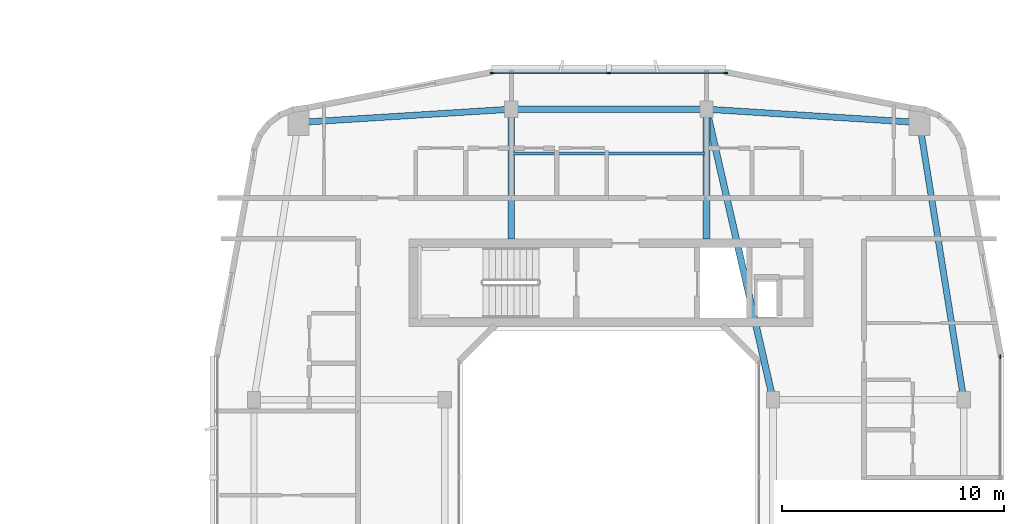
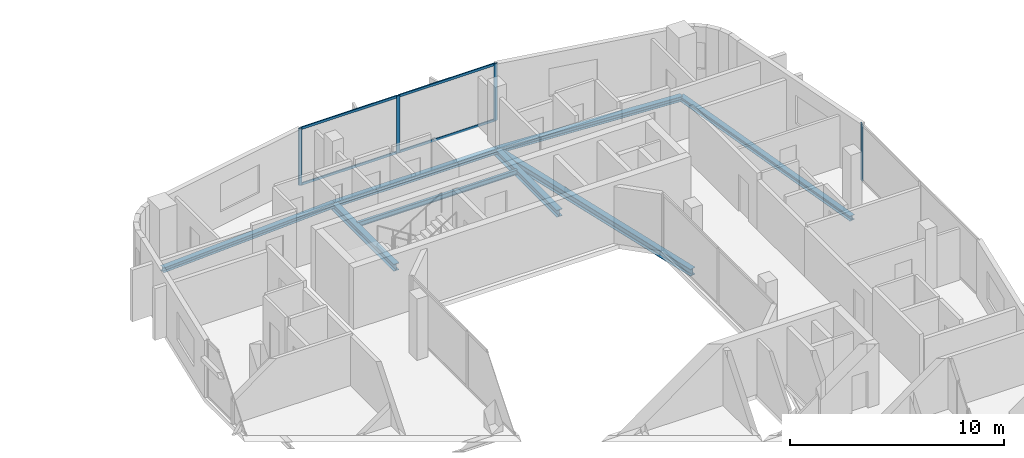
# One storey, part 10 of 26: 8 beams, 8 members, 2 elements without a shape of their own.
"""IFC4 building model written with IfcOpenShell, lengths in metres."""

from ifc_helpers import new_model, si_unit, derived_unit, direction, frame, origin, origin_2d, place, context, subcontext, project, spatial, rectangle, i_section, extrude, material, layer, layer_set, material_profile, profile_set, type_object, element, aggregate, save


model = new_model("IFC4")

# Units and contexts
model_context = context("Model", 3, precision=1e-05, world=origin(), true_north=direction((0.0, 1.0)))
body_context = subcontext(model_context, "Body", "Model", "MODEL_VIEW")
ifc_project = project(units=[si_unit("LENGTHUNIT", "METRE"), si_unit("AREAUNIT", "SQUARE_METRE"), si_unit("VOLUMEUNIT", "CUBIC_METRE"), si_unit("PLANEANGLEUNIT", "RADIAN"), si_unit("MASSUNIT", "GRAM", prefix="KILO"), derived_unit("THERMALTRANSMITTANCEUNIT", [(si_unit("POWERUNIT", "WATT"), 1), (si_unit("LENGTHUNIT", "METRE"), -2), (si_unit("THERMODYNAMICTEMPERATUREUNIT", "KELVIN"), -1)])], contexts=[model_context])

# Site, building, storey
site_placement = place(None, origin())
site = spatial("IfcSite", under=ifc_project, at=site_placement, CompositionType="ELEMENT")
building_placement = place(site_placement, origin())
building = spatial("IfcBuilding", under=site, at=building_placement, Name="Kivonza Crest Hotel", CompositionType="ELEMENT")
storey_placement = place(building_placement, frame((0.0, 0.0, 98.5)))
storey = spatial("IfcBuildingStorey", under=building, at=storey_placement, Name="L26", CompositionType="ELEMENT", Elevation=98.5)

# Beams
ifc_material_1 = material(Name="Steel S355", Category="steel")
ifc_material_profile_1 = material_profile(ifc_material_1, i_section(OverallWidth=0.280029296875, OverallDepth=0.280029296875, WebThickness=0.010498046875, FlangeThickness=0.01806640625, FilletRadius=0.02392578125, at=origin_2d()), Name="HEB 280")
ifc_profile_set_1 = profile_set([ifc_material_profile_1], Name="Steel S355")
beam_type_1 = type_object("IfcBeamType", Name="BM-HEB280", PredefinedType="SPANDREL", material=ifc_profile_set_1)
beam_1_placement = place(storey_placement, frame((93.0, 28.5, -0.389892578125), z_axis=(-0.157990501107, 0.987440631917, 0.0), x_axis=(-0.987440631917, -0.157990501107, 0.0)))
element("IfcBeam", 1, at=beam_1_placement, inside=storey, type_object=beam_type_1, Name="Companion Tower T2 L26 perimeter spandrel E2-NE", PredefinedType="SPANDREL", context=body_context, shape_type="SweptSolid", body=[
    extrude(i_section(OverallWidth=0.280029296875, OverallDepth=0.280029296875, WebThickness=0.010498046875, FlangeThickness=0.01806640625, FilletRadius=0.02392578125, at=origin_2d()), origin(), (0.0, 0.0, 1.0), 12.658935546875),
])
beam_2_placement = place(storey_placement, frame((91.0, 41.0, -0.389892578125), z_axis=(-0.998051985873, 0.062387767186, 0.0), x_axis=(-0.062387767186, -0.998051985873, 0.0)))
element("IfcBeam", 2, at=beam_2_placement, inside=storey, type_object=beam_type_1, Name="Companion Tower T2 L26 perimeter spandrel NE-N2", PredefinedType="SPANDREL", context=body_context, shape_type="SweptSolid", body=[
    extrude(i_section(OverallWidth=0.280029296875, OverallDepth=0.280029296875, WebThickness=0.010498046875, FlangeThickness=0.01806640625, FilletRadius=0.02392578125, at=origin_2d()), origin(), (0.0, 0.0, 1.0), 9.618896484375),
])
beam_3_placement = place(storey_placement, frame((81.39990234375, 41.60009765625, -0.389892578125), z_axis=(-1.0, 0.0, 0.0), x_axis=(0.0, -1.0, 0.0)))
element("IfcBeam", 3, at=beam_3_placement, inside=storey, type_object=beam_type_1, Name="Companion Tower T2 L26 perimeter spandrel N2-N1", PredefinedType="SPANDREL", context=body_context, shape_type="SweptSolid", body=[
    extrude(i_section(OverallWidth=0.280029296875, OverallDepth=0.280029296875, WebThickness=0.010498046875, FlangeThickness=0.01806640625, FilletRadius=0.02392578125, at=origin_2d()), origin(), (0.0, 0.0, 1.0), 8.7998046875),
])
beam_4_placement = place(storey_placement, frame((72.60009765625, 41.60009765625, -0.389892578125), z_axis=(-0.998051985873, -0.062387767186, 0.0), x_axis=(0.062387767186, -0.998051985873, 0.0)))
element("IfcBeam", 4, at=beam_4_placement, inside=storey, type_object=beam_type_1, Name="Companion Tower T2 L26 perimeter spandrel N1-NW", PredefinedType="SPANDREL", context=body_context, shape_type="SweptSolid", body=[
    extrude(i_section(OverallWidth=0.280029296875, OverallDepth=0.280029296875, WebThickness=0.010498046875, FlangeThickness=0.01806640625, FilletRadius=0.02392578125, at=origin_2d()), origin(), (0.0, 0.0, 1.0), 9.618896484375),
])
ifc_material_profile_2 = material_profile(ifc_material_1, i_section(OverallWidth=0.300048828125, OverallDepth=0.39990234375, WebThickness=0.013427734375, FlangeThickness=0.02392578125, FilletRadius=0.027099609375, at=origin_2d()), Name="HEB 400")
ifc_profile_set_2 = profile_set([ifc_material_profile_2], Name="Steel S355")
beam_type_2 = type_object("IfcBeamType", Name="BM-HEB400", PredefinedType="BEAM", material=ifc_profile_set_2)
beam_5_placement = place(storey_placement, frame((84.39990234375, 28.5, -0.449951171875), z_axis=(-0.223227287589, 0.974766422317, 0.0), x_axis=(-0.974766422317, -0.223227287589, 0.0)))
element("IfcBeam", 5, at=beam_5_placement, inside=storey, type_object=beam_type_2, Name="Companion Tower T2 L26 girder WR2-N2", PredefinedType="BEAM", context=body_context, shape_type="SweptSolid", body=[
    extrude(i_section(OverallWidth=0.300048828125, OverallDepth=0.39990234375, WebThickness=0.013427734375, FlangeThickness=0.02392578125, FilletRadius=0.027099609375, at=origin_2d()), origin(), (0.0, 0.0, 1.0), 13.439208984375),
])
for number, where, z_axis, x_axis, name in (
    (6, (72.60009765625, 41.60009765625, -0.449951171875), (0.0, -1.0, 0.0), (1.0, 0.0, 0.0), "Companion T2 L26 radial core girder RN1"),
    (7, (81.39990234375, 41.60009765625, -0.449951171875), (0.0, -1.0, 0.0), (1.0, 0.0, 0.0), "Companion T2 L26 radial core girder RN2"),
):
    element("IfcBeam", number, at=place(storey_placement, frame(where, z_axis=z_axis, x_axis=x_axis)), inside=storey, type_object=beam_type_2, Name=name, PredefinedType="BEAM", context=body_context, shape_type="SweptSolid", body=[
        extrude(i_section(OverallWidth=0.300048828125, OverallDepth=0.39990234375, WebThickness=0.013427734375, FlangeThickness=0.02392578125, FilletRadius=0.027099609375, at=origin_2d()), origin(), (0.0, 0.0, 1.0), 5.85009765625),
    ])
ifc_material_profile_3 = material_profile(ifc_material_1, i_section(OverallWidth=0.135009765625, OverallDepth=0.27001953125, WebThickness=0.006591796875, FlangeThickness=0.01025390625, FilletRadius=0.014892578125, at=origin_2d()), Name="IPE 270")
ifc_profile_set_3 = profile_set([ifc_material_profile_3], Name="Steel S355")
beam_type_3 = type_object("IfcBeamType", Name="BM-IPE270", PredefinedType="JOIST", material=ifc_profile_set_3)
beam_6_placement = place(storey_placement, frame((72.679931640625, 39.60009765625, -0.385009765625), z_axis=(1.0, 0.0, 0.0), x_axis=(0.0, 1.0, 0.0)))
element("IfcBeam", 8, at=beam_6_placement, inside=storey, type_object=beam_type_3, Name="Companion Tower T2 L26 North floor joist", PredefinedType="JOIST", context=body_context, shape_type="SweptSolid", body=[
    extrude(i_section(OverallWidth=0.135009765625, OverallDepth=0.27001953125, WebThickness=0.006591796875, FlangeThickness=0.01025390625, FilletRadius=0.014892578125, at=origin_2d()), origin(), (0.0, 0.0, 1.0), 8.64013671875),
])

# Curtain wall, member
ifc_material_2 = material(Name="Anodised bronze aluminium and low-E double glazing", Category="aluminium")
ifc_layer = layer(ifc_material_2, 0.179931640625)
ifc_layer_set = layer_set([ifc_layer], Name="Anodised bronze aluminium and low-E double glazing")
curtain_wall_type = type_object("IfcCurtainWallType", Name="CW-SYS-4", PredefinedType="NOTDEFINED", material=ifc_layer_set)
curtain_wall_1_placement = place(storey_placement, origin())
curtain_wall_1 = element("IfcCurtainWall", 9, at=curtain_wall_1_placement, inside=storey, type_object=curtain_wall_type, Name="L26 unitised curtain wall CW-T2-L26-17", PredefinedType="NOTDEFINED")
ifc_material_3 = material(Name="Anodised bronze aluminium", Category="aluminium")
ifc_material_profile_4 = material_profile(ifc_material_3, rectangle(XDim=0.06494140625, YDim=0.179931640625, at=origin_2d()), Name="CW-M 65x180")
ifc_profile_set_4 = profile_set([ifc_material_profile_4], Name="Anodised bronze aluminium")
member_type_1 = type_object("IfcMemberType", Name="CW-MUL-65x180", PredefinedType="MULLION", material=ifc_profile_set_4)
member_1_placement = place(storey_placement, frame((94.639892578125, 30.447509765625, 0.0), z_axis=(0.0, 0.0, 1.0), x_axis=(-1.0, 0.0, 0.0)))
member_1 = element("IfcMember", 10, at=member_1_placement, type_object=member_type_1, Name="CW-4 mullion 3", PredefinedType="MULLION", context=body_context, shape_type="SweptSolid", body=[
    extrude(rectangle(XDim=0.06494140625, YDim=0.179931640625, at=origin_2d()), origin(), (0.0, 0.0, 1.0), 3.25),
])
aggregate(curtain_wall_1, [member_1])

# Curtain wall, members
curtain_wall_2_placement = place(storey_placement, origin())
curtain_wall_2 = element("IfcCurtainWall", 11, at=curtain_wall_2_placement, inside=storey, type_object=curtain_wall_type, Name="L26 unitised curtain wall CW-T2-L26-26", PredefinedType="NOTDEFINED")
member_2_placement = place(storey_placement, frame((82.267578125, 43.239990234375, 0.0), z_axis=(0.0, 0.0, 1.0), x_axis=(0.0, -1.0, 0.0)))
member_2 = element("IfcMember", 12, at=member_2_placement, type_object=member_type_1, Name="CW-4 mullion 1", PredefinedType="MULLION", context=body_context, shape_type="SweptSolid", body=[
    extrude(rectangle(XDim=0.06494140625, YDim=0.179931640625, at=origin_2d()), origin(), (0.0, 0.0, 1.0), 3.25),
])
member_3_placement = place(storey_placement, frame((77.0, 43.239990234375, 0.0), z_axis=(0.0, 0.0, 1.0), x_axis=(0.0, -1.0, 0.0)))
member_3 = element("IfcMember", 13, at=member_3_placement, type_object=member_type_1, Name="CW-4 mullion 2", PredefinedType="MULLION", context=body_context, shape_type="SweptSolid", body=[
    extrude(rectangle(XDim=0.06494140625, YDim=0.179931640625, at=origin_2d()), origin(), (0.0, 0.0, 1.0), 3.25),
])
member_4_placement = place(storey_placement, frame((71.732421875, 43.239990234375, 0.0), z_axis=(0.0, 0.0, 1.0), x_axis=(0.0, -1.0, 0.0)))
member_4 = element("IfcMember", 14, at=member_4_placement, type_object=member_type_1, Name="CW-4 mullion 3", PredefinedType="MULLION", context=body_context, shape_type="SweptSolid", body=[
    extrude(rectangle(XDim=0.06494140625, YDim=0.179931640625, at=origin_2d()), origin(), (0.0, 0.0, 1.0), 3.25),
])
ifc_material_profile_5 = material_profile(ifc_material_3, rectangle(XDim=0.06494140625, YDim=0.139892578125, at=origin_2d()), Name="CW-T 65x140")
ifc_profile_set_5 = profile_set([ifc_material_profile_5], Name="Anodised bronze aluminium")
member_type_2 = type_object("IfcMemberType", Name="CW-TRN-65x140", PredefinedType="USERDEFINED", material=ifc_profile_set_5)
member_5_placement = place(storey_placement, frame((82.235107421875, 43.239990234375, 0.032470703125), z_axis=(-1.0, 0.0, 0.0), x_axis=(0.0, -1.0, 0.0)))
member_5 = element("IfcMember", 15, at=member_5_placement, type_object=member_type_2, Name="CW-4 transom 1.1", ObjectType="TRANSOM", PredefinedType="USERDEFINED", context=body_context, shape_type="SweptSolid", body=[
    extrude(rectangle(XDim=0.06494140625, YDim=0.139892578125, at=origin_2d()), origin(), (0.0, 0.0, 1.0), 5.20263671875),
])
member_6_placement = place(storey_placement, frame((82.235107421875, 43.239990234375, 3.217529296875), z_axis=(-1.0, 0.0, 0.0), x_axis=(0.0, -1.0, 0.0)))
member_6 = element("IfcMember", 16, at=member_6_placement, type_object=member_type_2, Name="CW-4 transom 1.2", ObjectType="TRANSOM", PredefinedType="USERDEFINED", context=body_context, shape_type="SweptSolid", body=[
    extrude(rectangle(XDim=0.06494140625, YDim=0.139892578125, at=origin_2d()), origin(), (0.0, 0.0, 1.0), 5.20263671875),
])
member_7_placement = place(storey_placement, frame((76.967529296875, 43.239990234375, 0.032470703125), z_axis=(-1.0, 0.0, 0.0), x_axis=(0.0, -1.0, 0.0)))
member_7 = element("IfcMember", 17, at=member_7_placement, type_object=member_type_2, Name="CW-4 transom 2.1", ObjectType="TRANSOM", PredefinedType="USERDEFINED", context=body_context, shape_type="SweptSolid", body=[
    extrude(rectangle(XDim=0.06494140625, YDim=0.139892578125, at=origin_2d()), origin(), (0.0, 0.0, 1.0), 5.20263671875),
])
member_8_placement = place(storey_placement, frame((76.967529296875, 43.239990234375, 3.217529296875), z_axis=(-1.0, 0.0, 0.0), x_axis=(0.0, -1.0, 0.0)))
member_8 = element("IfcMember", 18, at=member_8_placement, type_object=member_type_2, Name="CW-4 transom 2.2", ObjectType="TRANSOM", PredefinedType="USERDEFINED", context=body_context, shape_type="SweptSolid", body=[
    extrude(rectangle(XDim=0.06494140625, YDim=0.139892578125, at=origin_2d()), origin(), (0.0, 0.0, 1.0), 5.20263671875),
])
aggregate(curtain_wall_2, [member_2, member_3, member_4, member_5, member_6, member_7, member_8])

save(model, "model.ifc")
